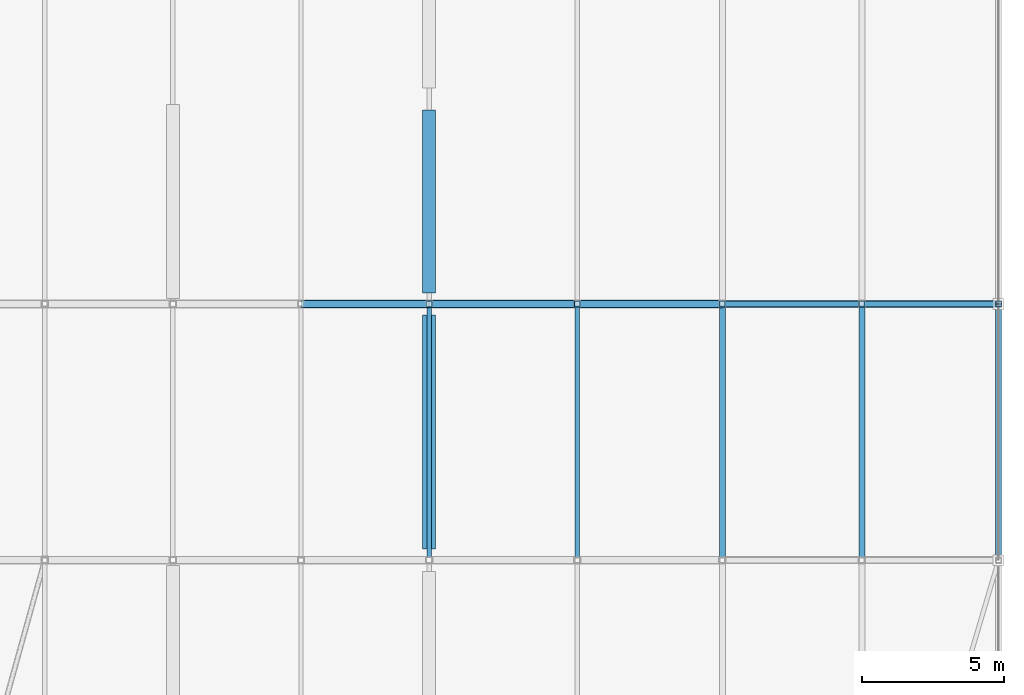
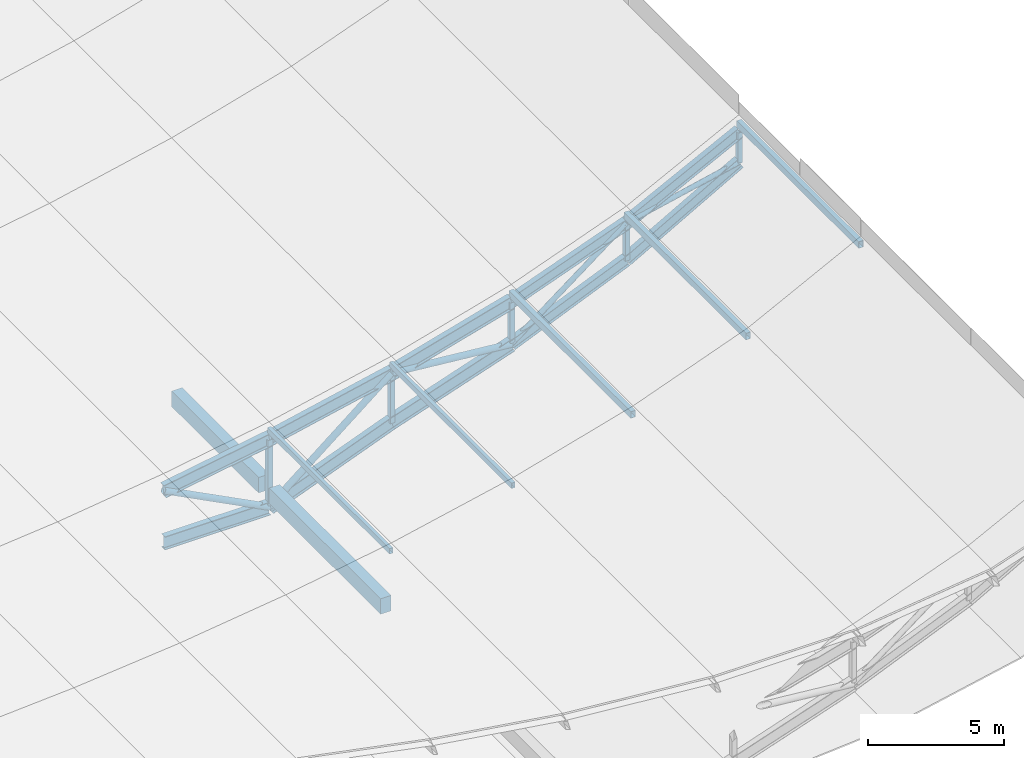
# One storey, part 13 of 24: 15 members, 12 beams.
"""IFC4 building model written with IfcOpenShell, lengths in metres."""

from ifc_helpers import new_model, si_unit, direction, frame, origin, origin_2d, place, context, subcontext, project, spatial, rectangle, hollow_rectangle, hollow_circle, i_section, extrude, material, material_profile, profile_set, type_object, element, save


model = new_model("IFC4")

# Units and contexts
model_context = context("Model", 3, precision=1e-05, world=origin(), true_north=direction((0.0, 1.0)))
body_context = subcontext(model_context, "Body", "Model", "MODEL_VIEW")
ifc_project = project(units=[si_unit("LENGTHUNIT", "METRE"), si_unit("AREAUNIT", "SQUARE_METRE"), si_unit("VOLUMEUNIT", "CUBIC_METRE"), si_unit("PLANEANGLEUNIT", "RADIAN"), si_unit("MASSUNIT", "GRAM", prefix="KILO"), si_unit("THERMODYNAMICTEMPERATUREUNIT", "KELVIN"), si_unit("POWERUNIT", "WATT")], contexts=[model_context])

# Site, building, storey
site_placement = place(None, origin())
site = spatial("IfcSite", under=ifc_project, at=site_placement, CompositionType="ELEMENT")
building_placement = place(site_placement, origin())
building = spatial("IfcBuilding", under=site, at=building_placement, Name="Sindhuravela Promenade Stadium", CompositionType="ELEMENT")
storey_placement = place(building_placement, frame((0.0, 0.0, 28.800048828125)))
storey = spatial("IfcBuildingStorey", under=building, at=storey_placement, Name="RF", CompositionType="ELEMENT", Elevation=28.800048828125)

# Beams
ifc_material_1 = material(Name="Concrete M40", Category="concrete")
ifc_material_profile_1 = material_profile(ifc_material_1, rectangle(XDim=0.449951171875, YDim=0.699951171875, at=origin_2d()), Name="RC 450x700")
ifc_profile_set_1 = profile_set([ifc_material_profile_1], Name="Concrete M40")
beam_type_1 = type_object("IfcBeamType", Name="RC-BM-450x700", PredefinedType="BEAM", material=ifc_profile_set_1)
beam_1_placement = place(storey_placement, frame((36.0, 84.989990234375, -0.590087890625), z_axis=(0.0, 1.0, 0.0), x_axis=(-1.0, 0.0, 0.0)))
element("IfcBeam", 1, at=beam_1_placement, inside=storey, type_object=beam_type_1, Name="Primary beam GB07 WEST RF", PredefinedType="BEAM", context=body_context, shape_type="SweptSolid", body=[
    extrude(rectangle(XDim=0.449951171875, YDim=0.699951171875, at=origin_2d()), origin(), (0.0, 0.0, 1.0), 8.219970703125),
])
beam_2_placement = place(storey_placement, frame((36.0, 93.989990234375, -0.590087890625), z_axis=(0.0, 1.0, 0.0), x_axis=(-1.0, 0.0, 0.0)))
element("IfcBeam", 2, at=beam_2_placement, inside=storey, type_object=beam_type_1, Name="Primary beam GB07 WEST RF", PredefinedType="BEAM", context=body_context, shape_type="SweptSolid", body=[
    extrude(rectangle(XDim=0.449951171875, YDim=0.699951171875, at=origin_2d()), origin(), (0.0, 0.0, 1.0), 6.419921875),
])
ifc_material_2 = material(Name="Steel E350 (IS 2062 E350BR)", Category="steel")
ifc_material_profile_2 = material_profile(ifc_material_2, i_section(OverallWidth=0.25, OverallDepth=0.5, WebThickness=0.010009765625, FlangeThickness=0.0146484375, FilletRadius=0.014892578125, at=origin_2d()), Name="ISWB 500")
ifc_profile_set_2 = profile_set([ifc_material_profile_2], Name="Steel E350 (IS 2062 E350BR)")
beam_type_2 = type_object("IfcBeamType", Name="ST-BM-WB500", PredefinedType="USERDEFINED", material=ifc_profile_set_2)
beam_3_placement = place(storey_placement, frame((46.300048828125, 93.60009765625, 4.24658203125), z_axis=(0.9381490392087664, 0.0, 0.34623168577076896), x_axis=(0.0, 1.0, 0.0)))
element("IfcBeam", 3, at=beam_3_placement, inside=storey, type_object=beam_type_2, Name="Roof truss RT-W06 top chord 7", ObjectType="ROOF TRUSS", PredefinedType="USERDEFINED", context=body_context, shape_type="SweptSolid", body=[
    extrude(i_section(OverallWidth=0.25, OverallDepth=0.5, WebThickness=0.010009765625, FlangeThickness=0.0146484375, FilletRadius=0.014892578125, at=origin_2d()), origin(), (0.0, 0.0, 1.0), 5.222900390625),
])
beam_4_placement = place(storey_placement, frame((46.300048828125, 93.60009765625, 2.325927734375), z_axis=(0.9202112137061758, 0.0, 0.39142217894417647), x_axis=(0.0, 1.0, 0.0)))
element("IfcBeam", 4, at=beam_4_placement, inside=storey, type_object=beam_type_2, Name="Roof truss RT-W06 bottom chord 7", ObjectType="ROOF TRUSS", PredefinedType="USERDEFINED", context=body_context, shape_type="SweptSolid", body=[
    extrude(i_section(OverallWidth=0.25, OverallDepth=0.5, WebThickness=0.010009765625, FlangeThickness=0.0146484375, FilletRadius=0.014892578125, at=origin_2d()), origin(), (0.0, 0.0, 1.0), 5.32470703125),
])
beam_5_placement = place(storey_placement, frame((51.199951171875, 93.60009765625, 6.054931640625), z_axis=(0.8914422517070215, 0.0, 0.4531343199003089), x_axis=(0.0, 1.0, 0.0)))
element("IfcBeam", 5, at=beam_5_placement, inside=storey, type_object=beam_type_2, Name="Roof truss RT-W06 top chord 8", ObjectType="ROOF TRUSS", PredefinedType="USERDEFINED", context=body_context, shape_type="SweptSolid", body=[
    extrude(i_section(OverallWidth=0.25, OverallDepth=0.5, WebThickness=0.010009765625, FlangeThickness=0.0146484375, FilletRadius=0.014892578125, at=origin_2d()), origin(), (0.0, 0.0, 1.0), 5.384521484375),
])
beam_6_placement = place(storey_placement, frame((51.199951171875, 93.60009765625, 4.41015625), z_axis=(0.870823391625607, 0.0, 0.4915959932685322), x_axis=(0.0, 1.0, 0.0)))
element("IfcBeam", 6, at=beam_6_placement, inside=storey, type_object=beam_type_2, Name="Roof truss RT-W06 bottom chord 8", ObjectType="ROOF TRUSS", PredefinedType="USERDEFINED", context=body_context, shape_type="SweptSolid", body=[
    extrude(i_section(OverallWidth=0.25, OverallDepth=0.5, WebThickness=0.010009765625, FlangeThickness=0.0146484375, FilletRadius=0.014892578125, at=origin_2d()), origin(), (0.0, 0.0, 1.0), 5.511962890625),
])
ifc_material_profile_3 = material_profile(ifc_material_2, i_section(OverallWidth=0.25, OverallDepth=0.60009765625, WebThickness=0.01171875, FlangeThickness=0.023681640625, FilletRadius=0.01708984375, at=origin_2d()), Name="ISWB 600")
ifc_profile_set_3 = profile_set([ifc_material_profile_3], Name="Steel E350 (IS 2062 E350BR)")
beam_type_3 = type_object("IfcBeamType", Name="ST-BM-WB600", PredefinedType="USERDEFINED", material=ifc_profile_set_3)
beam_7_placement = place(storey_placement, frame((31.5, 93.60009765625, 0.91796875), z_axis=(0.9860007817439423, 0.0, 0.16674069209504494), x_axis=(0.0, 1.0, 0.0)))
element("IfcBeam", 7, at=beam_7_placement, inside=storey, type_object=beam_type_3, Name="Roof truss RT-W06 top chord 4", ObjectType="ROOF TRUSS", PredefinedType="USERDEFINED", context=body_context, shape_type="SweptSolid", body=[
    extrude(i_section(OverallWidth=0.25, OverallDepth=0.60009765625, WebThickness=0.01171875, FlangeThickness=0.023681640625, FilletRadius=0.01708984375, at=origin_2d()), origin(), (0.0, 0.0, 1.0), 4.56396484375),
])
beam_8_placement = place(storey_placement, frame((31.5, 93.60009765625, -1.400146484375), z_axis=(1.0, 0.0, 0.0), x_axis=(0.0, 1.0, 0.0)))
element("IfcBeam", 8, at=beam_8_placement, inside=storey, type_object=beam_type_3, Name="Roof truss RT-W06 bottom chord 4", ObjectType="ROOF TRUSS", PredefinedType="USERDEFINED", context=body_context, shape_type="SweptSolid", body=[
    extrude(i_section(OverallWidth=0.25, OverallDepth=0.60009765625, WebThickness=0.01171875, FlangeThickness=0.023681640625, FilletRadius=0.01708984375, at=origin_2d()), origin(), (0.0, 0.0, 1.0), 4.5),
])
beam_9_placement = place(storey_placement, frame((36.0, 93.60009765625, 1.678955078125), z_axis=(0.9771784342317954, 0.0, 0.21242012068609853), x_axis=(0.0, 1.0, 0.0)))
element("IfcBeam", 9, at=beam_9_placement, inside=storey, type_object=beam_type_3, Name="Roof truss RT-W06 top chord 5", ObjectType="ROOF TRUSS", PredefinedType="USERDEFINED", context=body_context, shape_type="SweptSolid", body=[
    extrude(i_section(OverallWidth=0.25, OverallDepth=0.60009765625, WebThickness=0.01171875, FlangeThickness=0.023681640625, FilletRadius=0.01708984375, at=origin_2d()), origin(), (0.0, 0.0, 1.0), 5.3212890625),
])
beam_10_placement = place(storey_placement, frame((36.0, 93.60009765625, -1.400146484375), z_axis=(0.9332269823320635, 0.0, 0.3592873494118466), x_axis=(0.0, 1.0, 0.0)))
element("IfcBeam", 10, at=beam_10_placement, inside=storey, type_object=beam_type_3, Name="Roof truss RT-W06 bottom chord 5", ObjectType="ROOF TRUSS", PredefinedType="USERDEFINED", context=body_context, shape_type="SweptSolid", body=[
    extrude(i_section(OverallWidth=0.25, OverallDepth=0.60009765625, WebThickness=0.01171875, FlangeThickness=0.023681640625, FilletRadius=0.01708984375, at=origin_2d()), origin(), (0.0, 0.0, 1.0), 5.572021484375),
])
beam_11_placement = place(storey_placement, frame((41.199951171875, 93.60009765625, 2.809326171875), z_axis=(0.9625104587283877, 0.0, 0.2712445701548118), x_axis=(0.0, 1.0, 0.0)))
element("IfcBeam", 11, at=beam_11_placement, inside=storey, type_object=beam_type_3, Name="Roof truss RT-W06 top chord 6", ObjectType="ROOF TRUSS", PredefinedType="USERDEFINED", context=body_context, shape_type="SweptSolid", body=[
    extrude(i_section(OverallWidth=0.25, OverallDepth=0.60009765625, WebThickness=0.01171875, FlangeThickness=0.023681640625, FilletRadius=0.01708984375, at=origin_2d()), origin(), (0.0, 0.0, 1.0), 5.298828125),
])
beam_12_placement = place(storey_placement, frame((41.199951171875, 93.60009765625, 0.601806640625), z_axis=(0.947332432417477, 0.0, 0.32025187351518536), x_axis=(0.0, 1.0, 0.0)))
element("IfcBeam", 12, at=beam_12_placement, inside=storey, type_object=beam_type_3, Name="Roof truss RT-W06 bottom chord 6", ObjectType="ROOF TRUSS", PredefinedType="USERDEFINED", context=body_context, shape_type="SweptSolid", body=[
    extrude(i_section(OverallWidth=0.25, OverallDepth=0.60009765625, WebThickness=0.01171875, FlangeThickness=0.023681640625, FilletRadius=0.01708984375, at=origin_2d()), origin(), (0.0, 0.0, 1.0), 5.383544921875),
])

# Members
ifc_material_profile_4 = material_profile(ifc_material_2, hollow_circle(Radius=0.109619140625, WallThickness=0.010009765625, at=origin_2d()), Name="CHS 219.1x10")
ifc_profile_set_4 = profile_set([ifc_material_profile_4], Name="Steel E350 (IS 2062 E350BR)")
member_type_1 = type_object("IfcMemberType", Name="ST-MB-CHS219", PredefinedType="BRACE", material=ifc_profile_set_4)
member_1_placement = place(storey_placement, frame((46.300048828125, 93.60009765625, 2.325927734375), z_axis=(0.7957647236205557, 0.0, 0.605605898783277), x_axis=(0.0, 1.0, 0.0)))
element("IfcMember", 13, at=member_1_placement, inside=storey, type_object=member_type_1, Name="Roof truss RT-W06 diagonal web 7", PredefinedType="BRACE", context=body_context, shape_type="SweptSolid", body=[
    extrude(hollow_circle(Radius=0.109619140625, WallThickness=0.010009765625, at=origin_2d()), origin(), (0.0, 0.0, 1.0), 6.157470703125),
])
member_2_placement = place(storey_placement, frame((51.199951171875, 93.60009765625, 6.054931640625), z_axis=(0.9762617763838976, 0.0, 0.21659396106945533), x_axis=(0.0, 1.0, 0.0)))
element("IfcMember", 14, at=member_2_placement, inside=storey, type_object=member_type_1, Name="Roof truss RT-W06 diagonal web 8", PredefinedType="BRACE", context=body_context, shape_type="SweptSolid", body=[
    extrude(hollow_circle(Radius=0.109619140625, WallThickness=0.010009765625, at=origin_2d()), origin(), (0.0, 0.0, 1.0), 4.916748046875),
])
ifc_material_profile_5 = material_profile(ifc_material_2, hollow_circle(Radius=0.136474609375, WallThickness=0.010009765625, at=origin_2d()), Name="CHS 273.0x10")
ifc_profile_set_5 = profile_set([ifc_material_profile_5], Name="Steel E350 (IS 2062 E350BR)")
member_type_2 = type_object("IfcMemberType", Name="ST-MB-CHS273", PredefinedType="BRACE", material=ifc_profile_set_5)
member_3_placement = place(storey_placement, frame((31.5, 93.60009765625, 0.91796875), z_axis=(0.8889799113932431, 0.0, -0.457946194589781), x_axis=(0.0, 1.0, 0.0)))
element("IfcMember", 15, at=member_3_placement, inside=storey, type_object=member_type_2, Name="Roof truss RT-W06 diagonal web 4", PredefinedType="BRACE", context=body_context, shape_type="SweptSolid", body=[
    extrude(hollow_circle(Radius=0.136474609375, WallThickness=0.010009765625, at=origin_2d()), origin(), (0.0, 0.0, 1.0), 5.06201171875),
])
member_4_placement = place(storey_placement, frame((36.0, 93.60009765625, -1.400146484375), z_axis=(0.7772457205233317, 0.0, 0.6291971788939991), x_axis=(0.0, 1.0, 0.0)))
element("IfcMember", 16, at=member_4_placement, inside=storey, type_object=member_type_2, Name="Roof truss RT-W06 diagonal web 5", PredefinedType="BRACE", context=body_context, shape_type="SweptSolid", body=[
    extrude(hollow_circle(Radius=0.136474609375, WallThickness=0.010009765625, at=origin_2d()), origin(), (0.0, 0.0, 1.0), 6.690185546875),
])
member_5_placement = place(storey_placement, frame((41.199951171875, 93.60009765625, 2.809326171875), z_axis=(0.9955382080230687, 0.0, -0.09435929401080306), x_axis=(0.0, 1.0, 0.0)))
element("IfcMember", 17, at=member_5_placement, inside=storey, type_object=member_type_2, Name="Roof truss RT-W06 diagonal web 6", PredefinedType="BRACE", context=body_context, shape_type="SweptSolid", body=[
    extrude(hollow_circle(Radius=0.136474609375, WallThickness=0.010009765625, at=origin_2d()), origin(), (0.0, 0.0, 1.0), 5.123046875),
])
ifc_material_profile_6 = material_profile(ifc_material_2, hollow_rectangle(XDim=0.14990234375, YDim=0.25, WallThickness=0.010009765625, at=origin_2d()), Name="RHS 250x150x10")
ifc_profile_set_6 = profile_set([ifc_material_profile_6], Name="Steel E350 (IS 2062 E350BR)")
member_type_3 = type_object("IfcMemberType", Name="ST-MB-RHS250", PredefinedType="PURLIN", material=ifc_profile_set_6)
for number, where, z_axis, x_axis, name in (
    (18, (36.0, 84.60009765625, 2.071044921875), (0.0, 1.0, 0.0), (-1.0, 0.0, 0.0), "Roof purlin PR01 W bay 5.5"),
    (19, (41.199951171875, 84.60009765625, 3.201416015625), (0.0, 1.0, 0.0), (-1.0, 0.0, 0.0), "Roof purlin PR01 W bay 5.6"),
):
    element("IfcMember", number, at=place(storey_placement, frame(where, z_axis=z_axis, x_axis=x_axis)), inside=storey, type_object=member_type_3, Name=name, PredefinedType="PURLIN", context=body_context, shape_type="SweptSolid", body=[
        extrude(hollow_rectangle(XDim=0.14990234375, YDim=0.25, WallThickness=0.010009765625, at=origin_2d()), origin(), (0.0, 0.0, 1.0), 9.0),
    ])
ifc_material_profile_7 = material_profile(ifc_material_2, hollow_rectangle(XDim=0.199951171875, YDim=0.300048828125, WallThickness=0.010009765625, at=origin_2d()), Name="RHS 300x200x10")
ifc_profile_set_7 = profile_set([ifc_material_profile_7], Name="Steel E350 (IS 2062 E350BR)")
member_type_4 = type_object("IfcMemberType", Name="ST-MB-RHS300", PredefinedType="PURLIN", material=ifc_profile_set_7)
for number, where, z_axis, x_axis, name in (
    (20, (46.300048828125, 84.60009765625, 4.613525390625), (0.0, 1.0, 0.0), (-1.0, 0.0, 0.0), "Roof purlin PR02 W bay 5.7"),
    (21, (51.199951171875, 84.60009765625, 6.422119140625), (0.0, 1.0, 0.0), (-1.0, 0.0, 0.0), "Roof purlin PR02 W bay 5.8"),
    (22, (56.0, 84.60009765625, 8.862060546875), (0.0, 1.0, 0.0), (-1.0, 0.0, 0.0), "Roof purlin PR02 W bay 5.9"),
):
    element("IfcMember", number, at=place(storey_placement, frame(where, z_axis=z_axis, x_axis=x_axis)), inside=storey, type_object=member_type_4, Name=name, PredefinedType="PURLIN", context=body_context, shape_type="SweptSolid", body=[
        extrude(hollow_rectangle(XDim=0.199951171875, YDim=0.300048828125, WallThickness=0.010009765625, at=origin_2d()), origin(), (0.0, 0.0, 1.0), 9.0),
    ])
ifc_material_profile_8 = material_profile(ifc_material_2, hollow_rectangle(XDim=0.199951171875, YDim=0.199951171875, WallThickness=0.010009765625, at=origin_2d()), Name="SHS 200x200x10")
ifc_profile_set_8 = profile_set([ifc_material_profile_8], Name="Steel E350 (IS 2062 E350BR)")
member_type_5 = type_object("IfcMemberType", Name="ST-MB-SHS200", PredefinedType="POST", material=ifc_profile_set_8)
member_6_placement = place(storey_placement, frame((41.199951171875, 93.60009765625, 0.601806640625), z_axis=(0.0, 0.0, 1.0), x_axis=(1.0, 0.0, 0.0)))
element("IfcMember", 23, at=member_6_placement, inside=storey, type_object=member_type_5, Name="Roof truss RT-W06 vertical post 6", PredefinedType="POST", context=body_context, shape_type="SweptSolid", body=[
    extrude(hollow_rectangle(XDim=0.199951171875, YDim=0.199951171875, WallThickness=0.010009765625, at=origin_2d()), origin(), (0.0, 0.0, 1.0), 2.20751953125),
])
member_7_placement = place(storey_placement, frame((46.300048828125, 93.60009765625, 2.325927734375), z_axis=(0.0, 0.0, 1.0), x_axis=(1.0, 0.0, 0.0)))
element("IfcMember", 24, at=member_7_placement, inside=storey, type_object=member_type_5, Name="Roof truss RT-W06 vertical post 7", PredefinedType="POST", context=body_context, shape_type="SweptSolid", body=[
    extrude(hollow_rectangle(XDim=0.199951171875, YDim=0.199951171875, WallThickness=0.010009765625, at=origin_2d()), origin(), (0.0, 0.0, 1.0), 1.920654296875),
])
member_8_placement = place(storey_placement, frame((51.199951171875, 93.60009765625, 4.41015625), z_axis=(0.0, 0.0, 1.0), x_axis=(1.0, 0.0, 0.0)))
element("IfcMember", 25, at=member_8_placement, inside=storey, type_object=member_type_5, Name="Roof truss RT-W06 vertical post 8", PredefinedType="POST", context=body_context, shape_type="SweptSolid", body=[
    extrude(hollow_rectangle(XDim=0.199951171875, YDim=0.199951171875, WallThickness=0.010009765625, at=origin_2d()), origin(), (0.0, 0.0, 1.0), 1.644775390625),
])
member_9_placement = place(storey_placement, frame((56.0, 93.60009765625, 7.119873046875), z_axis=(0.0, 0.0, 1.0), x_axis=(1.0, 0.0, 0.0)))
element("IfcMember", 26, at=member_9_placement, inside=storey, type_object=member_type_5, Name="Roof truss RT-W06 vertical post 9", PredefinedType="POST", context=body_context, shape_type="SweptSolid", body=[
    extrude(hollow_rectangle(XDim=0.199951171875, YDim=0.199951171875, WallThickness=0.010009765625, at=origin_2d()), origin(), (0.0, 0.0, 1.0), 1.375),
])
ifc_material_profile_9 = material_profile(ifc_material_2, hollow_rectangle(XDim=0.219970703125, YDim=0.219970703125, WallThickness=0.011962890625, at=origin_2d()), Name="SHS 220x220x12")
ifc_profile_set_9 = profile_set([ifc_material_profile_9], Name="Steel E350 (IS 2062 E350BR)")
member_type_6 = type_object("IfcMemberType", Name="ST-MB-SHS220", PredefinedType="POST", material=ifc_profile_set_9)
member_10_placement = place(storey_placement, frame((36.0, 93.60009765625, -1.400146484375), z_axis=(0.0, 0.0, 1.0), x_axis=(1.0, 0.0, 0.0)))
element("IfcMember", 27, at=member_10_placement, inside=storey, type_object=member_type_6, Name="Roof truss RT-W06 vertical post 5", PredefinedType="POST", context=body_context, shape_type="SweptSolid", body=[
    extrude(hollow_rectangle(XDim=0.219970703125, YDim=0.219970703125, WallThickness=0.011962890625, at=origin_2d()), origin(), (0.0, 0.0, 1.0), 3.0791015625),
])

save(model, "model.ifc")
